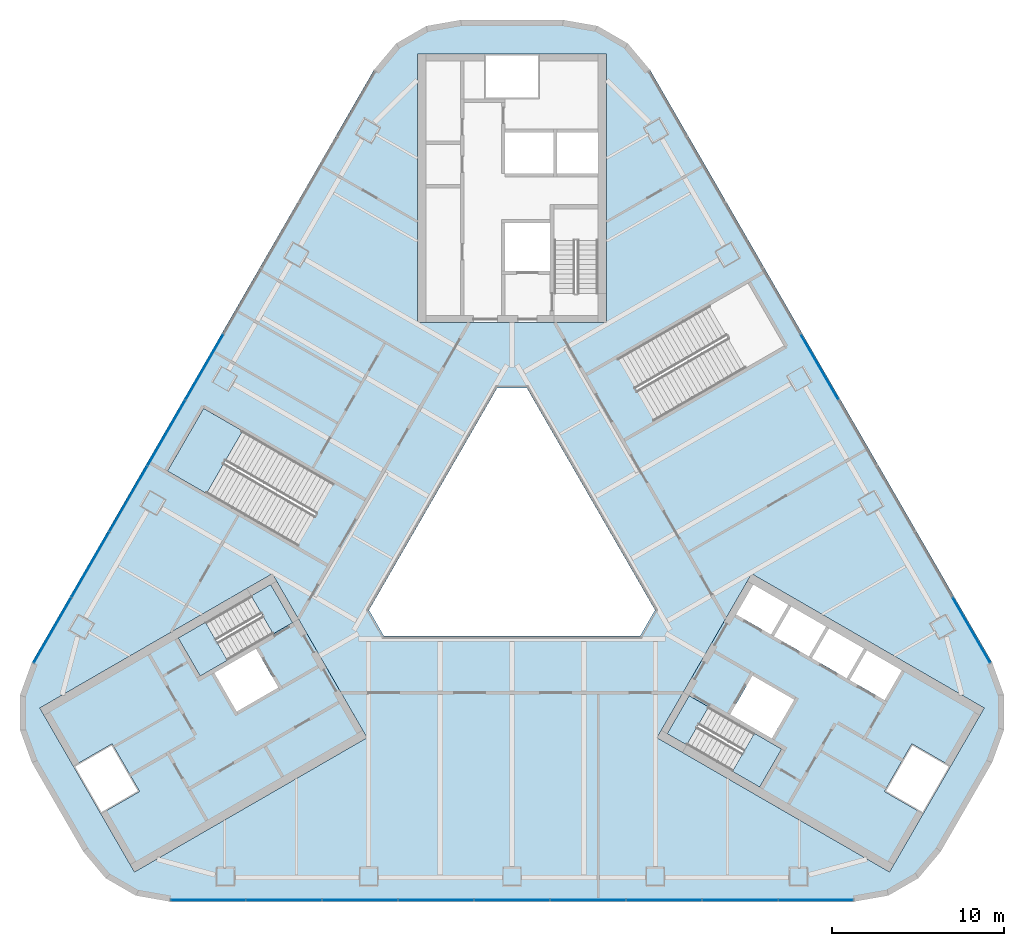
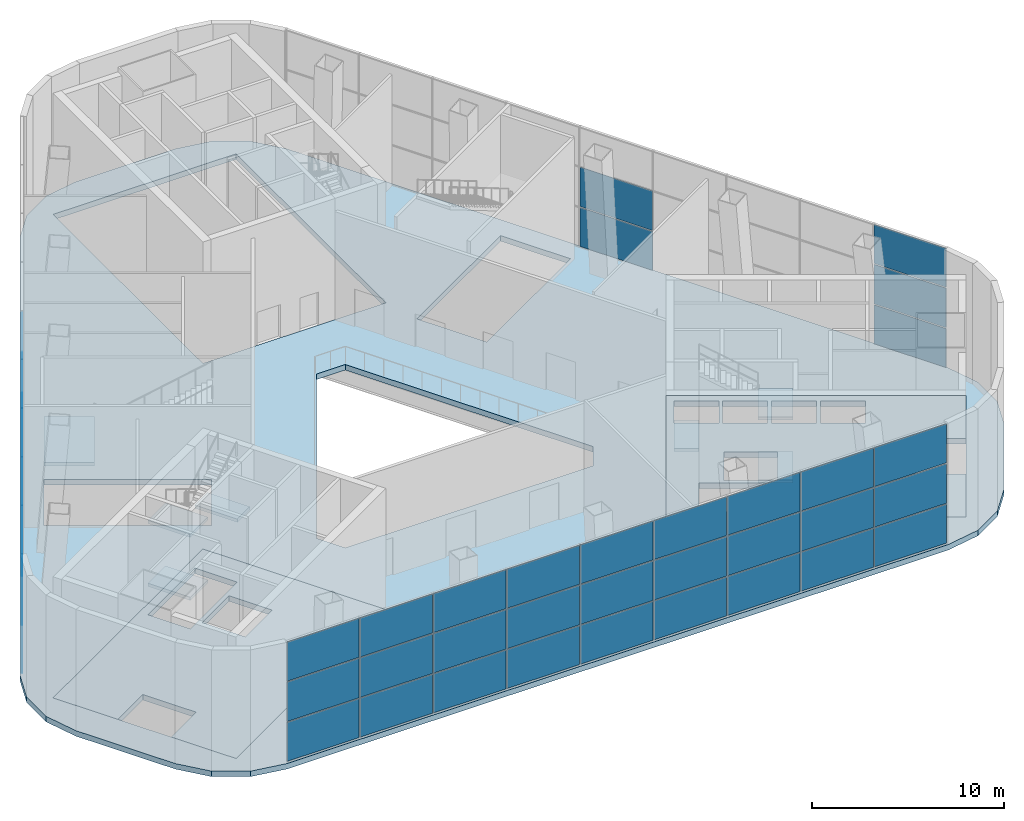
# One storey, part 7 of 16: 47 plates, 10 slabs, 6 elements without a shape of their own.
"""IFC4 building model written with IfcOpenShell, lengths in metres."""

from ifc_helpers import new_model, si_unit, direction, frame, origin, origin_2d, place, context, subcontext, project, spatial, polyline, rectangle, outline, extrude, material, layer, layer_set, type_object, element, aggregate, save


model = new_model("IFC4")

# Units and contexts
model_context = context("Model", 3, precision=1e-05, world=origin(), true_north=direction((0.0, 1.0)))
body_context = subcontext(model_context, "Body", "Model", "MODEL_VIEW")
ifc_project = project(units=[si_unit("LENGTHUNIT", "METRE"), si_unit("AREAUNIT", "SQUARE_METRE"), si_unit("VOLUMEUNIT", "CUBIC_METRE"), si_unit("PLANEANGLEUNIT", "RADIAN"), si_unit("MASSUNIT", "GRAM", prefix="KILO")], contexts=[model_context])

# Site, building, storey
site_placement = place(None, origin())
site = spatial("IfcSite", under=ifc_project, at=site_placement, CompositionType="ELEMENT")
building_placement = place(site_placement, origin())
building = spatial("IfcBuilding", under=site, at=building_placement, Name="Apuvela Tower Hotel", CompositionType="ELEMENT")
storey_placement = place(building_placement, frame((0.0, 0.0, 15.5)))
storey = spatial("IfcBuildingStorey", under=building, at=storey_placement, Name="L02", CompositionType="ELEMENT", Elevation=15.5)

# Slabs
ifc_material_1 = material(Name="Concrete C50/60", Category="concrete")
ifc_layer_1 = layer(ifc_material_1, 0.35009765625)
ifc_layer_set_1 = layer_set([ifc_layer_1], Name="COR-FLOOR-350")
slab_type_1 = type_object("IfcSlabType", Name="COR-FLOOR-350", PredefinedType="FLOOR", material=ifc_layer_set_1)
slab_1_placement = place(storey_placement, frame((0.0, 0.0, -0.35009765625)))
element("IfcSlab", 1, at=slab_1_placement, inside=storey, type_object=slab_type_1, Name="Core floor SW", PredefinedType="FLOOR", context=body_context, shape_type="SweptSolid", body=[
    extrude(outline(polyline([(-27.431640625, -9.48681640625), (-25.481689453125, -12.864501953125), (-23.22998046875, -11.564453125), (-21.630126953125, -14.335693359375), (-23.881591796875, -15.635498046875), (-21.931640625, -19.01318359375), (-8.421630859375, -11.213134765625), (-13.921630859375, -1.68701171875), (-27.431640625, -9.48681640625)]), holes=[polyline([(-13.874267578125, -5.18115234375), (-18.112548828125, -7.628173828125), (-19.387451171875, -5.419921875), (-15.149169921875, -2.972900390625), (-13.874267578125, -5.18115234375)]), polyline([(-13.56982421875, -8.29638671875), (-15.99462890625, -9.6962890625), (-17.294677734375, -7.444580078125), (-14.869873046875, -6.044677734375), (-13.56982421875, -8.29638671875)])]), origin(), (0.0, 0.0, 1.0), 0.35009765625),
])
slab_2_placement = place(storey_placement, frame((0.0, 0.0, -0.35009765625)))
element("IfcSlab", 2, at=slab_2_placement, inside=storey, type_object=slab_type_1, Name="Core floor SE", PredefinedType="FLOOR", context=body_context, shape_type="SweptSolid", body=[
    extrude(outline(polyline([(21.931640625, -19.01318359375), (23.881591796875, -15.635498046875), (21.630126953125, -14.335693359375), (23.22998046875, -11.564453125), (25.481689453125, -12.864501953125), (27.431640625, -9.48681640625), (13.921630859375, -1.68701171875), (8.421630859375, -11.213134765625), (21.931640625, -19.01318359375)]), holes=[polyline([(13.01806640625, -4.052001953125), (14.01806640625, -2.31982421875), (16.044677734375, -3.489990234375), (15.044677734375, -5.221923828125), (13.01806640625, -4.052001953125)]), polyline([(17.244384765625, -6.491943359375), (15.2177734375, -5.322021484375), (16.2177734375, -3.58984375), (18.244384765625, -4.760009765625), (17.244384765625, -6.491943359375)]), polyline([(14.387451171875, -14.080078125), (10.149169921875, -11.633056640625), (11.42431640625, -9.4248046875), (15.66259765625, -11.871826171875), (14.387451171875, -14.080078125)]), polyline([(12.669921875, -9.855224609375), (13.9697265625, -7.603515625), (16.394775390625, -9.003662109375), (15.0947265625, -11.25537109375), (12.669921875, -9.855224609375)]), polyline([(19.444091796875, -7.761962890625), (17.41748046875, -6.591796875), (18.41748046875, -4.85986328125), (20.444091796875, -6.02978515625), (19.444091796875, -7.761962890625)]), polyline([(21.643798828125, -9.031982421875), (19.6171875, -7.86181640625), (20.6171875, -6.1298828125), (22.643798828125, -7.2998046875), (21.643798828125, -9.031982421875)])]), origin(), (0.0, 0.0, 1.0), 0.35009765625),
])

# Stair, slabs
stair_type_1 = type_object("IfcStairType", Name="COR-STAIR-48R", PredefinedType="HALF_TURN_STAIR", material=ifc_material_1)
stair_1_placement = place(storey_placement, origin())
stair_1 = element("IfcStair", 3, at=stair_1_placement, inside=storey, type_object=stair_type_1, Name="L02 Exit stair ST2", PredefinedType="HALF_TURN_STAIR")
ifc_layer_2 = layer(ifc_material_1, 0.199951171875)
ifc_layer_set_2 = layer_set([ifc_layer_2], Name="COR-LANDING-200")
slab_type_2 = type_object("IfcSlabType", Name="COR-LANDING-200", PredefinedType="LANDING", material=ifc_layer_set_2)
slab_3_placement = place(storey_placement, frame((0.0, 0.0, 1.800048828125)))
slab_3 = element("IfcSlab", 4, at=slab_3_placement, type_object=slab_type_2, Name="ST2 landing 1", PredefinedType="LANDING", context=body_context, shape_type="SweptSolid", body=[
    extrude(outline(polyline([(-17.80615234375, -4.5068359375), (-19.387451171875, -5.419921875), (-18.112548828125, -7.628173828125), (-16.53125, -6.71533203125), (-17.80615234375, -4.5068359375)])), origin(), (0.0, 0.0, 1.0), 0.199951171875),
])
slab_4_placement = place(storey_placement, frame((0.0, 0.0, 3.800048828125)))
slab_4 = element("IfcSlab", 5, at=slab_4_placement, type_object=slab_type_2, Name="ST2 landing 2", PredefinedType="LANDING", context=body_context, shape_type="SweptSolid", body=[
    extrude(outline(polyline([(-14.01806640625, -2.31982421875), (-15.149169921875, -2.972900390625), (-13.874267578125, -5.18115234375), (-12.7431640625, -4.5283203125), (-14.01806640625, -2.31982421875)])), origin(), (0.0, 0.0, 1.0), 0.199951171875),
])
slab_5_placement = place(storey_placement, frame((0.0, 0.0, 5.800048828125)))
slab_5 = element("IfcSlab", 6, at=slab_5_placement, type_object=slab_type_2, Name="ST2 landing 3", PredefinedType="LANDING", context=body_context, shape_type="SweptSolid", body=[
    extrude(outline(polyline([(-17.80615234375, -4.5068359375), (-19.387451171875, -5.419921875), (-18.112548828125, -7.628173828125), (-16.53125, -6.71533203125), (-17.80615234375, -4.5068359375)])), origin(), (0.0, 0.0, 1.0), 0.199951171875),
])
aggregate(stair_1, [slab_3, slab_4, slab_5])

stair_2_placement = place(storey_placement, origin())
stair_2 = element("IfcStair", 7, at=stair_2_placement, inside=storey, type_object=stair_type_1, Name="L02 Exit stair ST3", PredefinedType="HALF_TURN_STAIR")
slab_6_placement = place(storey_placement, frame((0.0, 0.0, 1.800048828125)))
slab_6 = element("IfcSlab", 8, at=slab_6_placement, type_object=slab_type_2, Name="ST3 landing 1", PredefinedType="LANDING", context=body_context, shape_type="SweptSolid", body=[
    extrude(outline(polyline([(12.80615234375, -13.167236328125), (14.387451171875, -14.080078125), (15.66259765625, -11.871826171875), (14.0810546875, -10.958740234375), (12.80615234375, -13.167236328125)])), origin(), (0.0, 0.0, 1.0), 0.199951171875),
])
slab_7_placement = place(storey_placement, frame((0.0, 0.0, 3.800048828125)))
slab_7 = element("IfcSlab", 9, at=slab_7_placement, type_object=slab_type_2, Name="ST3 landing 2", PredefinedType="LANDING", context=body_context, shape_type="SweptSolid", body=[
    extrude(outline(polyline([(9.01806640625, -10.980224609375), (10.149169921875, -11.633056640625), (11.424072265625, -9.4248046875), (10.293212890625, -8.771728515625), (9.01806640625, -10.980224609375)])), origin(), (0.0, 0.0, 1.0), 0.199951171875),
])
slab_8_placement = place(storey_placement, frame((0.0, 0.0, 5.800048828125)))
slab_8 = element("IfcSlab", 10, at=slab_8_placement, type_object=slab_type_2, Name="ST3 landing 3", PredefinedType="LANDING", context=body_context, shape_type="SweptSolid", body=[
    extrude(outline(polyline([(12.80615234375, -13.167236328125), (14.387451171875, -14.080078125), (15.66259765625, -11.871826171875), (14.0810546875, -10.958740234375), (12.80615234375, -13.167236328125)])), origin(), (0.0, 0.0, 1.0), 0.199951171875),
])
aggregate(stair_2, [slab_6, slab_7, slab_8])

# Curtain wall, plates
ifc_material_2 = material(Name="Aluminium 6063-T6, dark bronze anodised", Category="aluminium")
ifc_layer_3 = layer(ifc_material_2, 0.199951171875)
ifc_layer_set_3 = layer_set([ifc_layer_3], Name="ENV-CW-P")
curtain_wall_type = type_object("IfcCurtainWallType", Name="ENV-CW-P", PredefinedType="NOTDEFINED", material=ifc_layer_set_3)
curtain_wall_1_placement = place(storey_placement, origin())
curtain_wall_1 = element("IfcCurtainWall", 11, at=curtain_wall_1_placement, inside=storey, type_object=curtain_wall_type, Name="Curtain wall CW-P S L02", PredefinedType="NOTDEFINED")
ifc_material_3 = material(Name="Glass, dark tinted laminated insulated glazing unit", Category="glass")
ifc_layer_4 = layer(ifc_material_3, 0.0400390625)
ifc_layer_set_4 = layer_set([ifc_layer_4], Name="ENV-PANEL-IGU-40")
plate_type = type_object("IfcPlateType", Name="ENV-PANEL-IGU-40", PredefinedType="CURTAIN_PANEL", material=ifc_layer_set_4)
plate_1_placement = place(storey_placement, frame((-17.647216796875, -20.63134765625, 0.06494140625), z_axis=(0.0, 0.0, 1.0), x_axis=(1.0, 0.0, 0.0)))
plate_1 = element("IfcPlate", 12, at=plate_1_placement, type_object=plate_type, Name="CW-P panel 1.1", PredefinedType="CURTAIN_PANEL", context=body_context, shape_type="SweptSolid", body=[
    extrude(rectangle(XDim=4.318359375, YDim=0.0400390625, at=origin_2d()), origin(), (0.0, 0.0, 1.0), 2.46923828125),
])
plate_2_placement = place(storey_placement, frame((-17.647216796875, -20.63134765625, 2.59912109375), z_axis=(0.0, 0.0, 1.0), x_axis=(1.0, 0.0, 0.0)))
plate_2 = element("IfcPlate", 13, at=plate_2_placement, type_object=plate_type, Name="CW-P panel 1.2", PredefinedType="CURTAIN_PANEL", context=body_context, shape_type="SweptSolid", body=[
    extrude(rectangle(XDim=4.318359375, YDim=0.0400390625, at=origin_2d()), origin(), (0.0, 0.0, 1.0), 2.501708984375),
])
plate_3_placement = place(storey_placement, frame((-17.647216796875, -20.63134765625, 5.165771484375), z_axis=(0.0, 0.0, 1.0), x_axis=(1.0, 0.0, 0.0)))
plate_3 = element("IfcPlate", 14, at=plate_3_placement, type_object=plate_type, Name="CW-P panel 1.3", PredefinedType="CURTAIN_PANEL", context=body_context, shape_type="SweptSolid", body=[
    extrude(rectangle(XDim=4.318359375, YDim=0.0400390625, at=origin_2d()), origin(), (0.0, 0.0, 1.0), 2.46923828125),
])
plate_4_placement = place(storey_placement, frame((-13.24755859375, -20.63134765625, 0.06494140625), z_axis=(0.0, 0.0, 1.0), x_axis=(1.0, 0.0, 0.0)))
plate_4 = element("IfcPlate", 15, at=plate_4_placement, type_object=plate_type, Name="CW-P panel 2.1", PredefinedType="CURTAIN_PANEL", context=body_context, shape_type="SweptSolid", body=[
    extrude(rectangle(XDim=4.350830078125, YDim=0.0400390625, at=origin_2d()), origin(), (0.0, 0.0, 1.0), 2.46923828125),
])
plate_5_placement = place(storey_placement, frame((-13.24755859375, -20.63134765625, 2.59912109375), z_axis=(0.0, 0.0, 1.0), x_axis=(1.0, 0.0, 0.0)))
plate_5 = element("IfcPlate", 16, at=plate_5_placement, type_object=plate_type, Name="CW-P panel 2.2", PredefinedType="CURTAIN_PANEL", context=body_context, shape_type="SweptSolid", body=[
    extrude(rectangle(XDim=4.350830078125, YDim=0.0400390625, at=origin_2d()), origin(), (0.0, 0.0, 1.0), 2.501708984375),
])
plate_6_placement = place(storey_placement, frame((-13.24755859375, -20.63134765625, 5.165771484375), z_axis=(0.0, 0.0, 1.0), x_axis=(1.0, 0.0, 0.0)))
plate_6 = element("IfcPlate", 17, at=plate_6_placement, type_object=plate_type, Name="CW-P panel 2.3", PredefinedType="CURTAIN_PANEL", context=body_context, shape_type="SweptSolid", body=[
    extrude(rectangle(XDim=4.350830078125, YDim=0.0400390625, at=origin_2d()), origin(), (0.0, 0.0, 1.0), 2.46923828125),
])
plate_7_placement = place(storey_placement, frame((-8.831787109375, -20.63134765625, 0.06494140625), z_axis=(0.0, 0.0, 1.0), x_axis=(1.0, 0.0, 0.0)))
plate_7 = element("IfcPlate", 18, at=plate_7_placement, type_object=plate_type, Name="CW-P panel 3.1", PredefinedType="CURTAIN_PANEL", context=body_context, shape_type="SweptSolid", body=[
    extrude(rectangle(XDim=4.350830078125, YDim=0.0400390625, at=origin_2d()), origin(), (0.0, 0.0, 1.0), 2.46923828125),
])
plate_8_placement = place(storey_placement, frame((-8.831787109375, -20.63134765625, 2.59912109375), z_axis=(0.0, 0.0, 1.0), x_axis=(1.0, 0.0, 0.0)))
plate_8 = element("IfcPlate", 19, at=plate_8_placement, type_object=plate_type, Name="CW-P panel 3.2", PredefinedType="CURTAIN_PANEL", context=body_context, shape_type="SweptSolid", body=[
    extrude(rectangle(XDim=4.350830078125, YDim=0.0400390625, at=origin_2d()), origin(), (0.0, 0.0, 1.0), 2.501708984375),
])
plate_9_placement = place(storey_placement, frame((-8.831787109375, -20.63134765625, 5.165771484375), z_axis=(0.0, 0.0, 1.0), x_axis=(1.0, 0.0, 0.0)))
plate_9 = element("IfcPlate", 20, at=plate_9_placement, type_object=plate_type, Name="CW-P panel 3.3", PredefinedType="CURTAIN_PANEL", context=body_context, shape_type="SweptSolid", body=[
    extrude(rectangle(XDim=4.350830078125, YDim=0.0400390625, at=origin_2d()), origin(), (0.0, 0.0, 1.0), 2.46923828125),
])
plate_10_placement = place(storey_placement, frame((-4.415771484375, -20.63134765625, 0.06494140625), z_axis=(0.0, 0.0, 1.0), x_axis=(1.0, 0.0, 0.0)))
plate_10 = element("IfcPlate", 21, at=plate_10_placement, type_object=plate_type, Name="CW-P panel 4.1", PredefinedType="CURTAIN_PANEL", context=body_context, shape_type="SweptSolid", body=[
    extrude(rectangle(XDim=4.350830078125, YDim=0.0400390625, at=origin_2d()), origin(), (0.0, 0.0, 1.0), 2.46923828125),
])
plate_11_placement = place(storey_placement, frame((-4.415771484375, -20.63134765625, 2.59912109375), z_axis=(0.0, 0.0, 1.0), x_axis=(1.0, 0.0, 0.0)))
plate_11 = element("IfcPlate", 22, at=plate_11_placement, type_object=plate_type, Name="CW-P panel 4.2", PredefinedType="CURTAIN_PANEL", context=body_context, shape_type="SweptSolid", body=[
    extrude(rectangle(XDim=4.350830078125, YDim=0.0400390625, at=origin_2d()), origin(), (0.0, 0.0, 1.0), 2.501708984375),
])
plate_12_placement = place(storey_placement, frame((-4.415771484375, -20.63134765625, 5.165771484375), z_axis=(0.0, 0.0, 1.0), x_axis=(1.0, 0.0, 0.0)))
plate_12 = element("IfcPlate", 23, at=plate_12_placement, type_object=plate_type, Name="CW-P panel 4.3", PredefinedType="CURTAIN_PANEL", context=body_context, shape_type="SweptSolid", body=[
    extrude(rectangle(XDim=4.350830078125, YDim=0.0400390625, at=origin_2d()), origin(), (0.0, 0.0, 1.0), 2.46923828125),
])
plate_13_placement = place(storey_placement, frame((0.0, -20.63134765625, 0.06494140625), z_axis=(0.0, 0.0, 1.0), x_axis=(1.0, 0.0, 0.0)))
plate_13 = element("IfcPlate", 24, at=plate_13_placement, type_object=plate_type, Name="CW-P panel 5.1", PredefinedType="CURTAIN_PANEL", context=body_context, shape_type="SweptSolid", body=[
    extrude(rectangle(XDim=4.350830078125, YDim=0.0400390625, at=origin_2d()), origin(), (0.0, 0.0, 1.0), 2.46923828125),
])
plate_14_placement = place(storey_placement, frame((0.0, -20.63134765625, 2.59912109375), z_axis=(0.0, 0.0, 1.0), x_axis=(1.0, 0.0, 0.0)))
plate_14 = element("IfcPlate", 25, at=plate_14_placement, type_object=plate_type, Name="CW-P panel 5.2", PredefinedType="CURTAIN_PANEL", context=body_context, shape_type="SweptSolid", body=[
    extrude(rectangle(XDim=4.350830078125, YDim=0.0400390625, at=origin_2d()), origin(), (0.0, 0.0, 1.0), 2.501708984375),
])
plate_15_placement = place(storey_placement, frame((0.0, -20.63134765625, 5.165771484375), z_axis=(0.0, 0.0, 1.0), x_axis=(1.0, 0.0, 0.0)))
plate_15 = element("IfcPlate", 26, at=plate_15_placement, type_object=plate_type, Name="CW-P panel 5.3", PredefinedType="CURTAIN_PANEL", context=body_context, shape_type="SweptSolid", body=[
    extrude(rectangle(XDim=4.350830078125, YDim=0.0400390625, at=origin_2d()), origin(), (0.0, 0.0, 1.0), 2.46923828125),
])
plate_16_placement = place(storey_placement, frame((4.415771484375, -20.63134765625, 0.06494140625), z_axis=(0.0, 0.0, 1.0), x_axis=(1.0, 0.0, 0.0)))
plate_16 = element("IfcPlate", 27, at=plate_16_placement, type_object=plate_type, Name="CW-P panel 6.1", PredefinedType="CURTAIN_PANEL", context=body_context, shape_type="SweptSolid", body=[
    extrude(rectangle(XDim=4.350830078125, YDim=0.0400390625, at=origin_2d()), origin(), (0.0, 0.0, 1.0), 2.46923828125),
])
plate_17_placement = place(storey_placement, frame((4.415771484375, -20.63134765625, 2.59912109375), z_axis=(0.0, 0.0, 1.0), x_axis=(1.0, 0.0, 0.0)))
plate_17 = element("IfcPlate", 28, at=plate_17_placement, type_object=plate_type, Name="CW-P panel 6.2", PredefinedType="CURTAIN_PANEL", context=body_context, shape_type="SweptSolid", body=[
    extrude(rectangle(XDim=4.350830078125, YDim=0.0400390625, at=origin_2d()), origin(), (0.0, 0.0, 1.0), 2.501708984375),
])
plate_18_placement = place(storey_placement, frame((4.415771484375, -20.63134765625, 5.165771484375), z_axis=(0.0, 0.0, 1.0), x_axis=(1.0, 0.0, 0.0)))
plate_18 = element("IfcPlate", 29, at=plate_18_placement, type_object=plate_type, Name="CW-P panel 6.3", PredefinedType="CURTAIN_PANEL", context=body_context, shape_type="SweptSolid", body=[
    extrude(rectangle(XDim=4.350830078125, YDim=0.0400390625, at=origin_2d()), origin(), (0.0, 0.0, 1.0), 2.46923828125),
])
plate_19_placement = place(storey_placement, frame((8.831787109375, -20.63134765625, 0.06494140625), z_axis=(0.0, 0.0, 1.0), x_axis=(1.0, 0.0, 0.0)))
plate_19 = element("IfcPlate", 30, at=plate_19_placement, type_object=plate_type, Name="CW-P panel 7.1", PredefinedType="CURTAIN_PANEL", context=body_context, shape_type="SweptSolid", body=[
    extrude(rectangle(XDim=4.350830078125, YDim=0.0400390625, at=origin_2d()), origin(), (0.0, 0.0, 1.0), 2.46923828125),
])
plate_20_placement = place(storey_placement, frame((8.831787109375, -20.63134765625, 2.59912109375), z_axis=(0.0, 0.0, 1.0), x_axis=(1.0, 0.0, 0.0)))
plate_20 = element("IfcPlate", 31, at=plate_20_placement, type_object=plate_type, Name="CW-P panel 7.2", PredefinedType="CURTAIN_PANEL", context=body_context, shape_type="SweptSolid", body=[
    extrude(rectangle(XDim=4.350830078125, YDim=0.0400390625, at=origin_2d()), origin(), (0.0, 0.0, 1.0), 2.501708984375),
])
plate_21_placement = place(storey_placement, frame((8.831787109375, -20.63134765625, 5.165771484375), z_axis=(0.0, 0.0, 1.0), x_axis=(1.0, 0.0, 0.0)))
plate_21 = element("IfcPlate", 32, at=plate_21_placement, type_object=plate_type, Name="CW-P panel 7.3", PredefinedType="CURTAIN_PANEL", context=body_context, shape_type="SweptSolid", body=[
    extrude(rectangle(XDim=4.350830078125, YDim=0.0400390625, at=origin_2d()), origin(), (0.0, 0.0, 1.0), 2.46923828125),
])
plate_22_placement = place(storey_placement, frame((13.24755859375, -20.63134765625, 0.06494140625), z_axis=(0.0, 0.0, 1.0), x_axis=(1.0, 0.0, 0.0)))
plate_22 = element("IfcPlate", 33, at=plate_22_placement, type_object=plate_type, Name="CW-P panel 8.1", PredefinedType="CURTAIN_PANEL", context=body_context, shape_type="SweptSolid", body=[
    extrude(rectangle(XDim=4.350830078125, YDim=0.0400390625, at=origin_2d()), origin(), (0.0, 0.0, 1.0), 2.46923828125),
])
plate_23_placement = place(storey_placement, frame((13.24755859375, -20.63134765625, 2.59912109375), z_axis=(0.0, 0.0, 1.0), x_axis=(1.0, 0.0, 0.0)))
plate_23 = element("IfcPlate", 34, at=plate_23_placement, type_object=plate_type, Name="CW-P panel 8.2", PredefinedType="CURTAIN_PANEL", context=body_context, shape_type="SweptSolid", body=[
    extrude(rectangle(XDim=4.350830078125, YDim=0.0400390625, at=origin_2d()), origin(), (0.0, 0.0, 1.0), 2.501708984375),
])
plate_24_placement = place(storey_placement, frame((13.24755859375, -20.63134765625, 5.165771484375), z_axis=(0.0, 0.0, 1.0), x_axis=(1.0, 0.0, 0.0)))
plate_24 = element("IfcPlate", 35, at=plate_24_placement, type_object=plate_type, Name="CW-P panel 8.3", PredefinedType="CURTAIN_PANEL", context=body_context, shape_type="SweptSolid", body=[
    extrude(rectangle(XDim=4.350830078125, YDim=0.0400390625, at=origin_2d()), origin(), (0.0, 0.0, 1.0), 2.46923828125),
])
plate_25_placement = place(storey_placement, frame((17.647216796875, -20.63134765625, 0.06494140625), z_axis=(0.0, 0.0, 1.0), x_axis=(1.0, 0.0, 0.0)))
plate_25 = element("IfcPlate", 36, at=plate_25_placement, type_object=plate_type, Name="CW-P panel 9.1", PredefinedType="CURTAIN_PANEL", context=body_context, shape_type="SweptSolid", body=[
    extrude(rectangle(XDim=4.318359375, YDim=0.0400390625, at=origin_2d()), origin(), (0.0, 0.0, 1.0), 2.46923828125),
])
plate_26_placement = place(storey_placement, frame((17.647216796875, -20.63134765625, 2.59912109375), z_axis=(0.0, 0.0, 1.0), x_axis=(1.0, 0.0, 0.0)))
plate_26 = element("IfcPlate", 37, at=plate_26_placement, type_object=plate_type, Name="CW-P panel 9.2", PredefinedType="CURTAIN_PANEL", context=body_context, shape_type="SweptSolid", body=[
    extrude(rectangle(XDim=4.318359375, YDim=0.0400390625, at=origin_2d()), origin(), (0.0, 0.0, 1.0), 2.501708984375),
])
plate_27_placement = place(storey_placement, frame((17.647216796875, -20.63134765625, 5.165771484375), z_axis=(0.0, 0.0, 1.0), x_axis=(1.0, 0.0, 0.0)))
plate_27 = element("IfcPlate", 38, at=plate_27_placement, type_object=plate_type, Name="CW-P panel 9.3", PredefinedType="CURTAIN_PANEL", context=body_context, shape_type="SweptSolid", body=[
    extrude(rectangle(XDim=4.318359375, YDim=0.0400390625, at=origin_2d()), origin(), (0.0, 0.0, 1.0), 2.46923828125),
])
aggregate(curtain_wall_1, [plate_1, plate_2, plate_3, plate_4, plate_5, plate_6, plate_7, plate_8, plate_9, plate_10, plate_11, plate_12, plate_13, plate_14, plate_15, plate_16, plate_17, plate_18, plate_19, plate_20, plate_21, plate_22, plate_23, plate_24, plate_25, plate_26, plate_27])

curtain_wall_2_placement = place(storey_placement, origin())
curtain_wall_2 = element("IfcCurtainWall", 39, at=curtain_wall_2_placement, inside=storey, type_object=curtain_wall_type, Name="Curtain wall CW-P NE L02", PredefinedType="NOTDEFINED")
plate_28_placement = place(storey_placement, frame((26.69091796875, -4.96728515625, 0.06494140625), z_axis=(0.0, 0.0, 1.0), x_axis=(-0.500001316455, 0.866024643727, 0.0)))
plate_28 = element("IfcPlate", 40, at=plate_28_placement, type_object=plate_type, Name="CW-P panel 1.1", PredefinedType="CURTAIN_PANEL", context=body_context, shape_type="SweptSolid", body=[
    extrude(rectangle(XDim=4.318359375, YDim=0.0400390625, at=origin_2d()), origin(), (0.0, 0.0, 1.0), 2.46923828125),
])
plate_29_placement = place(storey_placement, frame((26.69091796875, -4.96728515625, 2.59912109375), z_axis=(0.0, 0.0, 1.0), x_axis=(-0.500001316455, 0.866024643727, 0.0)))
plate_29 = element("IfcPlate", 41, at=plate_29_placement, type_object=plate_type, Name="CW-P panel 1.2", PredefinedType="CURTAIN_PANEL", context=body_context, shape_type="SweptSolid", body=[
    extrude(rectangle(XDim=4.318359375, YDim=0.0400390625, at=origin_2d()), origin(), (0.0, 0.0, 1.0), 2.501708984375),
])
plate_30_placement = place(storey_placement, frame((26.69091796875, -4.96728515625, 5.165771484375), z_axis=(0.0, 0.0, 1.0), x_axis=(-0.500001316455, 0.866024643727, 0.0)))
plate_30 = element("IfcPlate", 42, at=plate_30_placement, type_object=plate_type, Name="CW-P panel 1.3", PredefinedType="CURTAIN_PANEL", context=body_context, shape_type="SweptSolid", body=[
    extrude(rectangle(XDim=4.318359375, YDim=0.0400390625, at=origin_2d()), origin(), (0.0, 0.0, 1.0), 2.46923828125),
])
plate_31_placement = place(storey_placement, frame((17.8671875, 10.315673828125, 0.06494140625), z_axis=(0.0, 0.0, 1.0), x_axis=(-0.500001316455, 0.866024643727, 0.0)))
plate_31 = element("IfcPlate", 43, at=plate_31_placement, type_object=plate_type, Name="CW-P panel 5.1", PredefinedType="CURTAIN_PANEL", context=body_context, shape_type="SweptSolid", body=[
    extrude(rectangle(XDim=4.350830078125, YDim=0.0400390625, at=origin_2d()), origin(), (0.0, 0.0, 1.0), 2.46923828125),
])
plate_32_placement = place(storey_placement, frame((17.8671875, 10.315673828125, 2.59912109375), z_axis=(0.0, 0.0, 1.0), x_axis=(-0.500001316455, 0.866024643727, 0.0)))
plate_32 = element("IfcPlate", 44, at=plate_32_placement, type_object=plate_type, Name="CW-P panel 5.2", PredefinedType="CURTAIN_PANEL", context=body_context, shape_type="SweptSolid", body=[
    extrude(rectangle(XDim=4.350830078125, YDim=0.0400390625, at=origin_2d()), origin(), (0.0, 0.0, 1.0), 2.501708984375),
])
aggregate(curtain_wall_2, [plate_28, plate_29, plate_30, plate_31, plate_32])

curtain_wall_3_placement = place(storey_placement, origin())
curtain_wall_3 = element("IfcCurtainWall", 45, at=curtain_wall_3_placement, inside=storey, type_object=curtain_wall_type, Name="Curtain wall CW-P NW L02", PredefinedType="NOTDEFINED")
plate_33_placement = place(storey_placement, frame((-17.8671875, 10.315673828125, 0.06494140625), z_axis=(0.0, 0.0, 1.0), x_axis=(-0.500001316455, -0.866024643727, 0.0)))
plate_33 = element("IfcPlate", 46, at=plate_33_placement, type_object=plate_type, Name="CW-P panel 5.1", PredefinedType="CURTAIN_PANEL", context=body_context, shape_type="SweptSolid", body=[
    extrude(rectangle(XDim=4.350830078125, YDim=0.0400390625, at=origin_2d()), origin(), (0.0, 0.0, 1.0), 2.46923828125),
])
plate_34_placement = place(storey_placement, frame((-17.8671875, 10.315673828125, 2.59912109375), z_axis=(0.0, 0.0, 1.0), x_axis=(-0.500001316455, -0.866024643727, 0.0)))
plate_34 = element("IfcPlate", 47, at=plate_34_placement, type_object=plate_type, Name="CW-P panel 5.2", PredefinedType="CURTAIN_PANEL", context=body_context, shape_type="SweptSolid", body=[
    extrude(rectangle(XDim=4.350830078125, YDim=0.0400390625, at=origin_2d()), origin(), (0.0, 0.0, 1.0), 2.501708984375),
])
plate_35_placement = place(storey_placement, frame((-17.8671875, 10.315673828125, 5.165771484375), z_axis=(0.0, 0.0, 1.0), x_axis=(-0.500001316455, -0.866024643727, 0.0)))
plate_35 = element("IfcPlate", 48, at=plate_35_placement, type_object=plate_type, Name="CW-P panel 5.3", PredefinedType="CURTAIN_PANEL", context=body_context, shape_type="SweptSolid", body=[
    extrude(rectangle(XDim=4.350830078125, YDim=0.0400390625, at=origin_2d()), origin(), (0.0, 0.0, 1.0), 2.46923828125),
])
plate_36_placement = place(storey_placement, frame((-20.0751953125, 6.491455078125, 0.06494140625), z_axis=(0.0, 0.0, 1.0), x_axis=(-0.500001316455, -0.866024643727, 0.0)))
plate_36 = element("IfcPlate", 49, at=plate_36_placement, type_object=plate_type, Name="CW-P panel 6.1", PredefinedType="CURTAIN_PANEL", context=body_context, shape_type="SweptSolid", body=[
    extrude(rectangle(XDim=4.350830078125, YDim=0.0400390625, at=origin_2d()), origin(), (0.0, 0.0, 1.0), 2.46923828125),
])
plate_37_placement = place(storey_placement, frame((-20.0751953125, 6.491455078125, 2.59912109375), z_axis=(0.0, 0.0, 1.0), x_axis=(-0.500001316455, -0.866024643727, 0.0)))
plate_37 = element("IfcPlate", 50, at=plate_37_placement, type_object=plate_type, Name="CW-P panel 6.2", PredefinedType="CURTAIN_PANEL", context=body_context, shape_type="SweptSolid", body=[
    extrude(rectangle(XDim=4.350830078125, YDim=0.0400390625, at=origin_2d()), origin(), (0.0, 0.0, 1.0), 2.501708984375),
])
plate_38_placement = place(storey_placement, frame((-20.0751953125, 6.491455078125, 5.165771484375), z_axis=(0.0, 0.0, 1.0), x_axis=(-0.500001316455, -0.866024643727, 0.0)))
plate_38 = element("IfcPlate", 51, at=plate_38_placement, type_object=plate_type, Name="CW-P panel 6.3", PredefinedType="CURTAIN_PANEL", context=body_context, shape_type="SweptSolid", body=[
    extrude(rectangle(XDim=4.350830078125, YDim=0.0400390625, at=origin_2d()), origin(), (0.0, 0.0, 1.0), 2.46923828125),
])
plate_39_placement = place(storey_placement, frame((-22.283203125, 2.6669921875, 0.06494140625), z_axis=(0.0, 0.0, 1.0), x_axis=(-0.500001316455, -0.866024643727, 0.0)))
plate_39 = element("IfcPlate", 52, at=plate_39_placement, type_object=plate_type, Name="CW-P panel 7.1", PredefinedType="CURTAIN_PANEL", context=body_context, shape_type="SweptSolid", body=[
    extrude(rectangle(XDim=4.350830078125, YDim=0.0400390625, at=origin_2d()), origin(), (0.0, 0.0, 1.0), 2.46923828125),
])
plate_40_placement = place(storey_placement, frame((-22.283203125, 2.6669921875, 2.59912109375), z_axis=(0.0, 0.0, 1.0), x_axis=(-0.500001316455, -0.866024643727, 0.0)))
plate_40 = element("IfcPlate", 53, at=plate_40_placement, type_object=plate_type, Name="CW-P panel 7.2", PredefinedType="CURTAIN_PANEL", context=body_context, shape_type="SweptSolid", body=[
    extrude(rectangle(XDim=4.350830078125, YDim=0.0400390625, at=origin_2d()), origin(), (0.0, 0.0, 1.0), 2.501708984375),
])
plate_41_placement = place(storey_placement, frame((-22.283203125, 2.6669921875, 5.165771484375), z_axis=(0.0, 0.0, 1.0), x_axis=(-0.500001316455, -0.866024643727, 0.0)))
plate_41 = element("IfcPlate", 54, at=plate_41_placement, type_object=plate_type, Name="CW-P panel 7.3", PredefinedType="CURTAIN_PANEL", context=body_context, shape_type="SweptSolid", body=[
    extrude(rectangle(XDim=4.350830078125, YDim=0.0400390625, at=origin_2d()), origin(), (0.0, 0.0, 1.0), 2.46923828125),
])
plate_42_placement = place(storey_placement, frame((-24.4912109375, -1.1572265625, 0.06494140625), z_axis=(0.0, 0.0, 1.0), x_axis=(-0.500001316455, -0.866024643727, 0.0)))
plate_42 = element("IfcPlate", 55, at=plate_42_placement, type_object=plate_type, Name="CW-P panel 8.1", PredefinedType="CURTAIN_PANEL", context=body_context, shape_type="SweptSolid", body=[
    extrude(rectangle(XDim=4.350830078125, YDim=0.0400390625, at=origin_2d()), origin(), (0.0, 0.0, 1.0), 2.46923828125),
])
plate_43_placement = place(storey_placement, frame((-24.4912109375, -1.1572265625, 2.59912109375), z_axis=(0.0, 0.0, 1.0), x_axis=(-0.500001316455, -0.866024643727, 0.0)))
plate_43 = element("IfcPlate", 56, at=plate_43_placement, type_object=plate_type, Name="CW-P panel 8.2", PredefinedType="CURTAIN_PANEL", context=body_context, shape_type="SweptSolid", body=[
    extrude(rectangle(XDim=4.350830078125, YDim=0.0400390625, at=origin_2d()), origin(), (0.0, 0.0, 1.0), 2.501708984375),
])
plate_44_placement = place(storey_placement, frame((-24.4912109375, -1.1572265625, 5.165771484375), z_axis=(0.0, 0.0, 1.0), x_axis=(-0.500001316455, -0.866024643727, 0.0)))
plate_44 = element("IfcPlate", 57, at=plate_44_placement, type_object=plate_type, Name="CW-P panel 8.3", PredefinedType="CURTAIN_PANEL", context=body_context, shape_type="SweptSolid", body=[
    extrude(rectangle(XDim=4.350830078125, YDim=0.0400390625, at=origin_2d()), origin(), (0.0, 0.0, 1.0), 2.46923828125),
])
plate_45_placement = place(storey_placement, frame((-26.69091796875, -4.96728515625, 0.06494140625), z_axis=(0.0, 0.0, 1.0), x_axis=(-0.500001316455, -0.866024643727, 0.0)))
plate_45 = element("IfcPlate", 58, at=plate_45_placement, type_object=plate_type, Name="CW-P panel 9.1", PredefinedType="CURTAIN_PANEL", context=body_context, shape_type="SweptSolid", body=[
    extrude(rectangle(XDim=4.318359375, YDim=0.0400390625, at=origin_2d()), origin(), (0.0, 0.0, 1.0), 2.46923828125),
])
plate_46_placement = place(storey_placement, frame((-26.69091796875, -4.96728515625, 2.59912109375), z_axis=(0.0, 0.0, 1.0), x_axis=(-0.500001316455, -0.866024643727, 0.0)))
plate_46 = element("IfcPlate", 59, at=plate_46_placement, type_object=plate_type, Name="CW-P panel 9.2", PredefinedType="CURTAIN_PANEL", context=body_context, shape_type="SweptSolid", body=[
    extrude(rectangle(XDim=4.318359375, YDim=0.0400390625, at=origin_2d()), origin(), (0.0, 0.0, 1.0), 2.501708984375),
])
plate_47_placement = place(storey_placement, frame((-26.69091796875, -4.96728515625, 5.165771484375), z_axis=(0.0, 0.0, 1.0), x_axis=(-0.500001316455, -0.866024643727, 0.0)))
plate_47 = element("IfcPlate", 60, at=plate_47_placement, type_object=plate_type, Name="CW-P panel 9.3", PredefinedType="CURTAIN_PANEL", context=body_context, shape_type="SweptSolid", body=[
    extrude(rectangle(XDim=4.318359375, YDim=0.0400390625, at=origin_2d()), origin(), (0.0, 0.0, 1.0), 2.46923828125),
])
aggregate(curtain_wall_3, [plate_33, plate_34, plate_35, plate_36, plate_37, plate_38, plate_39, plate_40, plate_41, plate_42, plate_43, plate_44, plate_45, plate_46, plate_47])

# Stair, slab
ifc_material_4 = material(Name="Concrete C40/50", Category="concrete")
stair_type_2 = type_object("IfcStairType", Name="SPC-STAIR-PS", PredefinedType="HALF_TURN_STAIR", material=ifc_material_4)
stair_3_placement = place(storey_placement, origin())
stair_3 = element("IfcStair", 61, at=stair_3_placement, inside=storey, type_object=stair_type_2, Name="L02 Protected exit stair PS2", PredefinedType="HALF_TURN_STAIR")
ifc_layer_5 = layer(ifc_material_4, 0.199951171875)
ifc_layer_set_5 = layer_set([ifc_layer_5], Name="SPC-LANDING-PS")
slab_type_3 = type_object("IfcSlabType", Name="SPC-LANDING-PS", PredefinedType="LANDING", material=ifc_layer_set_5)
slab_9_placement = place(storey_placement, frame((0.0, 0.0, 3.800048828125)))
slab_9 = element("IfcSlab", 62, at=slab_9_placement, type_object=slab_type_3, Name="PS2 landing 1", PredefinedType="LANDING", context=body_context, shape_type="SweptSolid", body=[
    extrude(outline(polyline([(-15.64697265625, 6.60888671875), (-17.91162109375, 7.916259765625), (-20.011474609375, 4.279052734375), (-17.746826171875, 2.971435546875), (-15.64697265625, 6.60888671875)])), origin(), (0.0, 0.0, 1.0), 0.199951171875),
])
aggregate(stair_3, [slab_9])

# Slab
ifc_material_5 = material(Name="Concrete C35/45", Category="concrete")
ifc_layer_6 = layer(ifc_material_5, 0.35009765625)
ifc_layer_set_6 = layer_set([ifc_layer_6], Name="STR-SLAB 350 floor Concrete C35/45")
slab_type_4 = type_object("IfcSlabType", Name="STR-SLAB 350 floor Concrete C35/45", PredefinedType="FLOOR", material=ifc_layer_set_6)
slab_10_placement = place(storey_placement, frame((0.0, 0.0, -0.35009765625)))
element("IfcSlab", 63, at=slab_10_placement, inside=storey, type_object=slab_type_4, Name="Floor slab S3 L02", PredefinedType="FLOOR", context=body_context, shape_type="SweptSolid", body=[
    extrude(outline(polyline([(8.01806640625, 27.574951171875), (6.721435546875, 29.120361328125), (4.974365234375, 30.12890625), (2.98779296875, 30.479248046875), (-2.98779296875, 30.479248046875), (-4.974365234375, 30.12890625), (-6.721435546875, 29.120361328125), (-8.01806640625, 27.574951171875), (-27.8896484375, -6.843505859375), (-28.57958984375, -8.7392578125), (-28.57958984375, -10.756591796875), (-27.8896484375, -12.652099609375), (-24.90185546875, -17.8271484375), (-23.605224609375, -19.372314453125), (-21.858154296875, -20.381103515625), (-19.87158203125, -20.7314453125), (19.87158203125, -20.7314453125), (21.858154296875, -20.381103515625), (23.605224609375, -19.372314453125), (24.90185546875, -17.8271484375), (27.8896484375, -12.652099609375), (28.57958984375, -10.756591796875), (28.57958984375, -8.7392578125), (27.8896484375, -6.843505859375), (8.01806640625, 27.574951171875)]), holes=[polyline([(0.865966796875, 9.10009765625), (-0.865966796875, 9.10009765625), (-8.313720703125, -3.800048828125), (-7.44775390625, -5.300048828125), (7.44775390625, -5.300048828125), (8.313720703125, -3.800048828125), (0.865966796875, 9.10009765625)]), polyline([(-5.5, 12.89990234375), (-5.5, 28.5), (5.5, 28.5), (5.5, 12.89990234375), (-5.5, 12.89990234375)]), polyline([(-8.421630859375, -11.213134765625), (-21.931640625, -19.01318359375), (-27.431640625, -9.48681640625), (-13.921630859375, -1.68701171875), (-8.421630859375, -11.213134765625)]), polyline([(13.921630859375, -1.68701171875), (27.431640625, -9.48681640625), (21.931640625, -19.01318359375), (8.421630859375, -11.213134765625), (13.921630859375, -1.68701171875)]), polyline([(8.26416015625, 7.1962890625), (6.1640625, 10.83349609375), (13.71142578125, 15.19091796875), (15.8115234375, 11.5537109375), (8.26416015625, 7.1962890625)]), polyline([(-12.464111328125, -0.07861328125), (-20.011474609375, 4.279052734375), (-17.91162109375, 7.916259765625), (-10.364013671875, 3.558837890625), (-12.464111328125, -0.07861328125)])]), origin(), (0.0, 0.0, 1.0), 0.35009765625),
])

save(model, "model.ifc")
